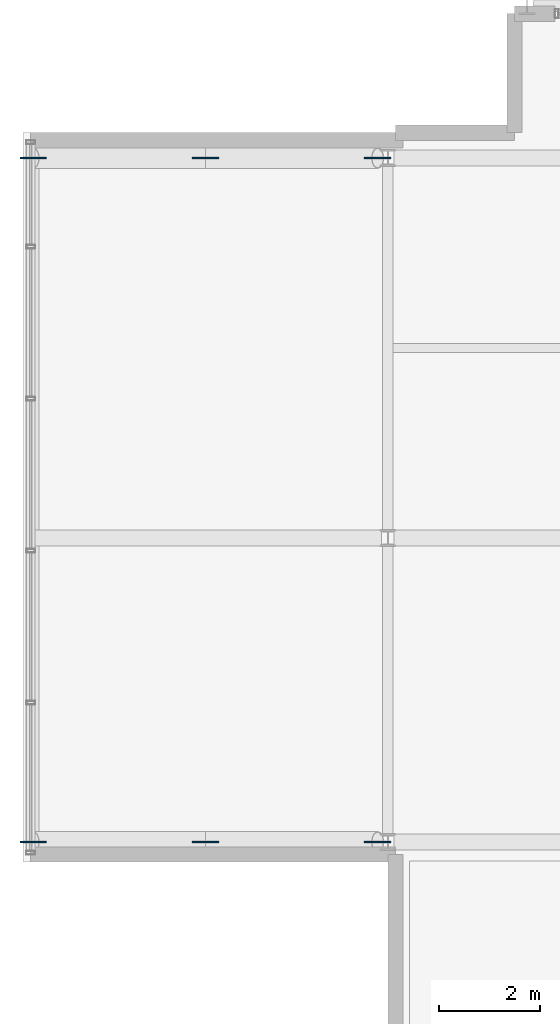
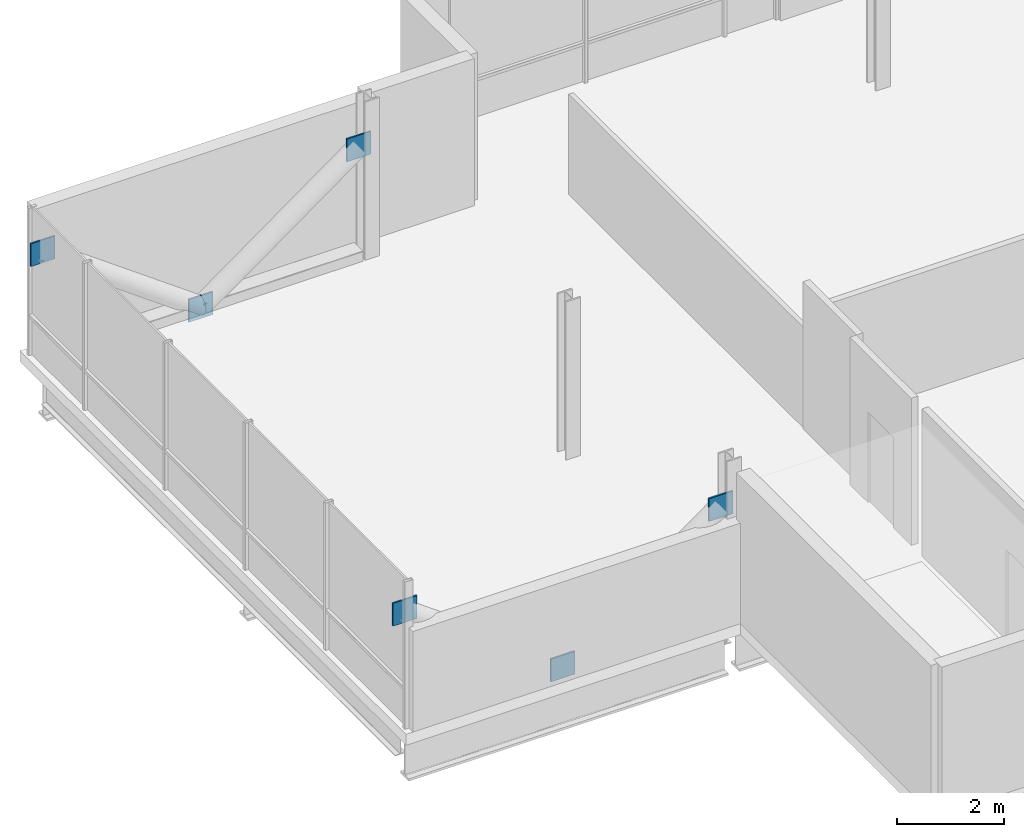
# One storey, part 12 of 18: 6 plates.
"""IFC4 building model written with IfcOpenShell, lengths in metres."""

from ifc_helpers import new_model, si_unit, direction, frame, origin, origin_2d, place, context, subcontext, project, spatial, rectangle, extrude, material, layer, layer_set, type_object, element, save


model = new_model("IFC4")

# Units and contexts
model_context = context("Model", 3, precision=1e-05, world=origin(), true_north=direction((0.0, 1.0)))
body_context = subcontext(model_context, "Body", "Model", "MODEL_VIEW")
ifc_project = project(units=[si_unit("LENGTHUNIT", "METRE"), si_unit("AREAUNIT", "SQUARE_METRE"), si_unit("VOLUMEUNIT", "CUBIC_METRE"), si_unit("PLANEANGLEUNIT", "RADIAN"), si_unit("MASSUNIT", "GRAM", prefix="KILO")], contexts=[model_context])

# Site, building, storey
site_placement = place(None, origin())
site = spatial("IfcSite", under=ifc_project, at=site_placement, CompositionType="ELEMENT")
building_placement = place(site_placement, origin())
building = spatial("IfcBuilding", under=site, at=building_placement, Name="Brevholm Reach", CompositionType="ELEMENT")
storey_placement = place(building_placement, frame((0.0, 0.0, 240.050048828125)))
storey = spatial("IfcBuildingStorey", under=building, at=storey_placement, Name="L73", CompositionType="ELEMENT", Elevation=240.050048828125)

# Plates
ifc_material = material(Name="Structural Steel S355J2", Category="steel")
ifc_layer = layer(ifc_material, 0.02392578125)
ifc_layer_set = layer_set([ifc_layer], Name="Structural Steel S355J2")
plate_type = type_object("IfcPlateType", Name="PLT-GUS-24", PredefinedType="USERDEFINED", material=ifc_layer_set)
for number, where, z_axis, x_axis, name in (
    (1, (27.050048828125, 10.0, 2.25), (0.0, 0.0, 1.0), (1.0, 0.0, 0.0), "L73 Sky-Lounge Cantilever Truss Gusset Y10.1"),
    (2, (23.64990234375, 10.0, -0.2099609375), (0.0, 0.0, 1.0), (1.0, 0.0, 0.0), "L73 Sky-Lounge Cantilever Truss Gusset Y10.2"),
    (3, (20.25, 10.0, 2.25), (0.0, 0.0, 1.0), (1.0, 0.0, 0.0), "L73 Sky-Lounge Cantilever Truss Gusset Y10.3"),
    (4, (27.050048828125, 23.5, 2.25), (0.0, 0.0, 1.0), (1.0, 0.0, 0.0), "L73 Sky-Lounge Cantilever Truss Gusset Y23.1"),
    (5, (23.64990234375, 23.5, -0.2099609375), (0.0, 0.0, 1.0), (1.0, 0.0, 0.0), "L73 Sky-Lounge Cantilever Truss Gusset Y23.2"),
    (6, (20.25, 23.5, 2.25), (0.0, 0.0, 1.0), (1.0, 0.0, 0.0), "L73 Sky-Lounge Cantilever Truss Gusset Y23.3"),
):
    element("IfcPlate", number, at=place(storey_placement, frame(where, z_axis=z_axis, x_axis=x_axis)), inside=storey, type_object=plate_type, Name=name, ObjectType="GUSSET_PLATE", PredefinedType="USERDEFINED", context=body_context, shape_type="SweptSolid", body=[
        extrude(rectangle(XDim=0.52001953125, YDim=0.035888671875, at=origin_2d()), origin(), (0.0, 0.0, 1.0), 0.52001953125),
    ])

save(model, "model.ifc")
